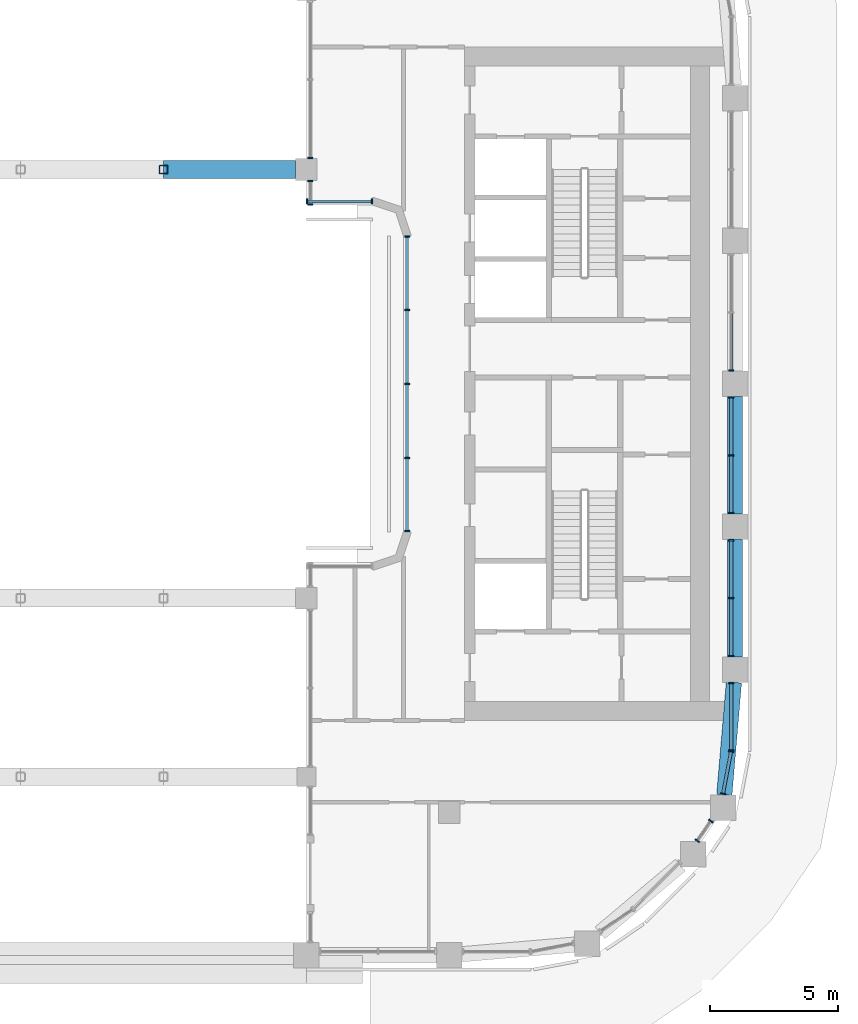
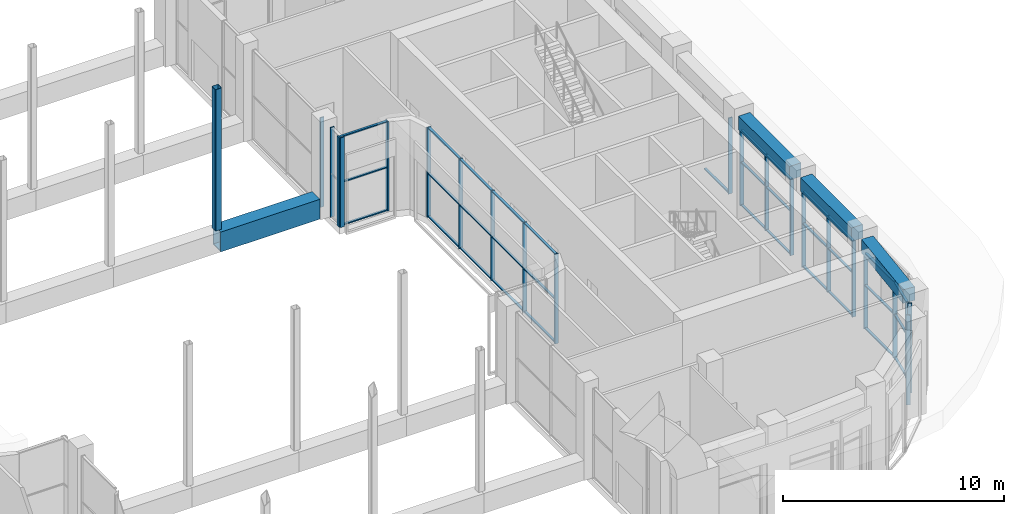
# One storey, part 6 of 28: 59 members, 3 beams, 10 elements without a shape of their own.
"""IFC4 building model written with IfcOpenShell, lengths in metres."""

from ifc_helpers import new_model, si_unit, direction, frame, origin, origin_2d, place, context, subcontext, project, spatial, rectangle, hollow_rectangle, extrude, material, layer, layer_set, material_profile, profile_set, type_object, element, aggregate, save


model = new_model("IFC4")

# Units and contexts
model_context = context("Model", 3, precision=1e-05, world=origin(), true_north=direction((0.0, 1.0)))
body_context = subcontext(model_context, "Body", "Model", "MODEL_VIEW")
ifc_project = project(units=[si_unit("LENGTHUNIT", "METRE"), si_unit("AREAUNIT", "SQUARE_METRE"), si_unit("VOLUMEUNIT", "CUBIC_METRE"), si_unit("PLANEANGLEUNIT", "RADIAN"), si_unit("MASSUNIT", "GRAM", prefix="KILO")], contexts=[model_context])

# Site, building, storey
site_placement = place(None, origin())
site = spatial("IfcSite", under=ifc_project, at=site_placement, CompositionType="ELEMENT")
building_placement = place(site_placement, origin())
building = spatial("IfcBuilding", under=site, at=building_placement, Name="Kiln Ring Residences", CompositionType="ELEMENT")
storey_placement = place(building_placement, frame((0.0, 0.0, 178.10009765625)))
storey = spatial("IfcBuildingStorey", under=building, at=storey_placement, Name="L46", CompositionType="ELEMENT", Elevation=178.10009765625)

# Members
ifc_material_1 = material(Name="Steel S460", Category="steel")
ifc_material_profile_1 = material_profile(ifc_material_1, hollow_rectangle(XDim=0.699951171875, YDim=1.10009765625, WallThickness=0.06005859375, at=origin_2d()), Name="BOX1100x700x60")
ifc_profile_set_1 = profile_set([ifc_material_profile_1], Name="Steel S460")
member_type_1 = type_object("IfcMemberType", Name="Bridge truss chord BOX1100x700x60 S460", PredefinedType="CHORD", material=ifc_profile_set_1)
member_1_placement = place(storey_placement, frame((5.60009765625, 8.39990234375, 0.5498046875), z_axis=(1.0, 0.0, 0.0), x_axis=(0.0, 1.0, 0.0)))
element("IfcMember", 1, at=member_1_placement, inside=storey, type_object=member_type_1, Name="Bridge truss chord L46 18", PredefinedType="CHORD", context=body_context, shape_type="SweptSolid", body=[
    extrude(hollow_rectangle(XDim=0.699951171875, YDim=1.10009765625, WallThickness=0.06005859375, at=origin_2d()), origin(), (0.0, 0.0, 1.0), 5.1748046875),
])
ifc_material_2 = material(Name="Steel S355", Category="steel")
ifc_material_profile_2 = material_profile(ifc_material_2, hollow_rectangle(XDim=0.35009765625, YDim=0.35009765625, WallThickness=0.02001953125, InnerFilletRadius=0.02001953125, OuterFilletRadius=0.050048828125, at=origin_2d()), Name="SHS350x350x20")
ifc_profile_set_2 = profile_set([ifc_material_profile_2], Name="Steel S355")
member_type_2 = type_object("IfcMemberType", Name="Bridge truss post SHS350x350x20 S355", PredefinedType="POST", material=ifc_profile_set_2)
member_2_placement = place(storey_placement, frame((5.60009765625, 8.39990234375, 1.099853515625), z_axis=(0.0, 0.0, 1.0), x_axis=(1.0, 0.0, 0.0)))
element("IfcMember", 2, at=member_2_placement, inside=storey, type_object=member_type_2, Name="Bridge truss post L46 12", PredefinedType="POST", context=body_context, shape_type="SweptSolid", body=[
    extrude(hollow_rectangle(XDim=0.35009765625, YDim=0.35009765625, WallThickness=0.02001953125, InnerFilletRadius=0.02001953125, OuterFilletRadius=0.050048828125, at=origin_2d()), origin(), (0.0, 0.0, 1.0), 7.800048828125),
])

# Curtain wall, members
ifc_material_3 = material(Name="Aluminium and glass", Category="aluminium")
ifc_layer = layer(ifc_material_3, 0.199951171875)
ifc_layer_set = layer_set([ifc_layer], Name="CW1 CURTAIN WALL")
curtain_wall_type = type_object("IfcCurtainWallType", Name="CW1 CURTAIN WALL", PredefinedType="NOTDEFINED", material=ifc_layer_set)
placement = place(storey_placement, origin())
curtain_wall_1 = element("IfcCurtainWall", 3, at=placement, inside=storey, type_object=curtain_wall_type, Name="Curtain wall CW1 L46", PredefinedType="NOTDEFINED")
ifc_material_4 = material(Name="Aluminium 6063-T6", Category="aluminium")
ifc_material_profile_3 = material_profile(ifc_material_4, rectangle(XDim=0.199951171875, YDim=0.06005859375, at=origin_2d()), Name="AL 200x60")
ifc_profile_set_3 = profile_set([ifc_material_profile_3], Name="Aluminium 6063-T6")
member_type_3 = type_object("IfcMemberType", Name="CW1 MULLION 200 x 60", PredefinedType="MULLION", material=ifc_profile_set_3)
member_3_placement = place(storey_placement, frame((26.521240234375, -17.9091796875, 0.0), z_axis=(0.0, 0.0, 1.0), x_axis=(-0.827071553409, 0.562096651423, 0.0)))
member_3 = element("IfcMember", 4, at=member_3_placement, type_object=member_type_3, Name="CW1 mullion 1", PredefinedType="MULLION", context=body_context, shape_type="SweptSolid", body=[
    extrude(rectangle(XDim=0.199951171875, YDim=0.06005859375, at=origin_2d()), origin(), (0.0, 0.0, 1.0), 4.949951171875),
])
member_4_placement = place(storey_placement, frame((27.04833984375, -17.133544921875, 0.0), z_axis=(0.0, 0.0, 1.0), x_axis=(-0.827071553409, 0.562096651423, 0.0)))
member_4 = element("IfcMember", 5, at=member_4_placement, type_object=member_type_3, Name="CW1 mullion 2", PredefinedType="MULLION", context=body_context, shape_type="SweptSolid", body=[
    extrude(rectangle(XDim=0.199951171875, YDim=0.06005859375, at=origin_2d()), origin(), (0.0, 0.0, 1.0), 4.949951171875),
])
aggregate(curtain_wall_1, [member_3, member_4])

curtain_wall_2 = element("IfcCurtainWall", 6, at=placement, inside=storey, type_object=curtain_wall_type, Name="Curtain wall CW1 L46", PredefinedType="NOTDEFINED")
member_5_placement = place(storey_placement, frame((27.529296875, -16.0673828125, 0.0), z_axis=(0.0, 0.0, 1.0), x_axis=(-0.98229025781, 0.187365550227, 0.0)))
member_5 = element("IfcMember", 7, at=member_5_placement, type_object=member_type_3, Name="CW1 mullion 1", PredefinedType="MULLION", context=body_context, shape_type="SweptSolid", body=[
    extrude(rectangle(XDim=0.199951171875, YDim=0.06005859375, at=origin_2d()), origin(), (0.0, 0.0, 1.0), 4.199951171875),
])
member_6_placement = place(storey_placement, frame((27.846923828125, -14.4013671875, 0.0), z_axis=(0.0, 0.0, 1.0), x_axis=(-0.98229025781, 0.187365550227, 0.0)))
member_6 = element("IfcMember", 8, at=member_6_placement, type_object=member_type_3, Name="CW1 mullion 2", PredefinedType="MULLION", context=body_context, shape_type="SweptSolid", body=[
    extrude(rectangle(XDim=0.199951171875, YDim=0.06005859375, at=origin_2d()), origin(), (0.0, 0.0, 1.0), 4.199951171875),
])

curtain_wall_3 = element("IfcCurtainWall", 9, at=placement, inside=storey, type_object=curtain_wall_type, Name="Curtain wall CW1 L46", PredefinedType="NOTDEFINED")
member_7_placement = place(storey_placement, frame((27.85009765625, -14.3701171875, 0.0), z_axis=(0.0, 0.0, 1.0), x_axis=(-1.0, 0.0, 0.0)))
member_7 = element("IfcMember", 10, at=member_7_placement, type_object=member_type_3, Name="CW1 mullion 1", PredefinedType="MULLION", context=body_context, shape_type="SweptSolid", body=[
    extrude(rectangle(XDim=0.199951171875, YDim=0.06005859375, at=origin_2d()), origin(), (0.0, 0.0, 1.0), 4.199951171875),
])
member_8_placement = place(storey_placement, frame((27.85009765625, -11.72998046875, 0.0), z_axis=(0.0, 0.0, 1.0), x_axis=(-1.0, 0.0, 0.0)))
member_8 = element("IfcMember", 11, at=member_8_placement, type_object=member_type_3, Name="CW1 mullion 2", PredefinedType="MULLION", context=body_context, shape_type="SweptSolid", body=[
    extrude(rectangle(XDim=0.199951171875, YDim=0.06005859375, at=origin_2d()), origin(), (0.0, 0.0, 1.0), 4.199951171875),
])

curtain_wall_4 = element("IfcCurtainWall", 12, at=placement, inside=storey, type_object=curtain_wall_type, Name="Curtain wall CW1 L46", PredefinedType="NOTDEFINED")
member_9_placement = place(storey_placement, frame((27.85009765625, -10.669921875, 0.0), z_axis=(0.0, 0.0, 1.0), x_axis=(-1.0, 0.0, 0.0)))
member_9 = element("IfcMember", 13, at=member_9_placement, type_object=member_type_3, Name="CW1 mullion 1", PredefinedType="MULLION", context=body_context, shape_type="SweptSolid", body=[
    extrude(rectangle(XDim=0.199951171875, YDim=0.06005859375, at=origin_2d()), origin(), (0.0, 0.0, 1.0), 4.199951171875),
])
member_10_placement = place(storey_placement, frame((27.85009765625, -8.39990234375, 0.0), z_axis=(0.0, 0.0, 1.0), x_axis=(-1.0, 0.0, 0.0)))
member_10 = element("IfcMember", 14, at=member_10_placement, type_object=member_type_3, Name="CW1 mullion 2", PredefinedType="MULLION", context=body_context, shape_type="SweptSolid", body=[
    extrude(rectangle(XDim=0.199951171875, YDim=0.06005859375, at=origin_2d()), origin(), (0.0, 0.0, 1.0), 4.199951171875),
])
member_11_placement = place(storey_placement, frame((27.85009765625, -6.1298828125, 0.0), z_axis=(0.0, 0.0, 1.0), x_axis=(-1.0, 0.0, 0.0)))
member_11 = element("IfcMember", 15, at=member_11_placement, type_object=member_type_3, Name="CW1 mullion 3", PredefinedType="MULLION", context=body_context, shape_type="SweptSolid", body=[
    extrude(rectangle(XDim=0.199951171875, YDim=0.06005859375, at=origin_2d()), origin(), (0.0, 0.0, 1.0), 4.199951171875),
])

curtain_wall_5 = element("IfcCurtainWall", 16, at=placement, inside=storey, type_object=curtain_wall_type, Name="Curtain wall CW1 L46", PredefinedType="NOTDEFINED")
member_12_placement = place(storey_placement, frame((27.85009765625, -5.070068359375, 0.0), z_axis=(0.0, 0.0, 1.0), x_axis=(-1.0, 0.0, 0.0)))
member_12 = element("IfcMember", 17, at=member_12_placement, type_object=member_type_3, Name="CW1 mullion 1", PredefinedType="MULLION", context=body_context, shape_type="SweptSolid", body=[
    extrude(rectangle(XDim=0.199951171875, YDim=0.06005859375, at=origin_2d()), origin(), (0.0, 0.0, 1.0), 4.199951171875),
])
member_13_placement = place(storey_placement, frame((27.85009765625, -2.800048828125, 0.0), z_axis=(0.0, 0.0, 1.0), x_axis=(-1.0, 0.0, 0.0)))
member_13 = element("IfcMember", 18, at=member_13_placement, type_object=member_type_3, Name="CW1 mullion 2", PredefinedType="MULLION", context=body_context, shape_type="SweptSolid", body=[
    extrude(rectangle(XDim=0.199951171875, YDim=0.06005859375, at=origin_2d()), origin(), (0.0, 0.0, 1.0), 4.199951171875),
])
member_14_placement = place(storey_placement, frame((27.85009765625, -0.530029296875, 0.0), z_axis=(0.0, 0.0, 1.0), x_axis=(-1.0, 0.0, 0.0)))
member_14 = element("IfcMember", 19, at=member_14_placement, type_object=member_type_3, Name="CW1 mullion 3", PredefinedType="MULLION", context=body_context, shape_type="SweptSolid", body=[
    extrude(rectangle(XDim=0.199951171875, YDim=0.06005859375, at=origin_2d()), origin(), (0.0, 0.0, 1.0), 4.199951171875),
])

# Curtain wall, member
curtain_wall_6 = element("IfcCurtainWall", 20, at=placement, inside=storey, type_object=curtain_wall_type, Name="Curtain wall CW1 L46", PredefinedType="NOTDEFINED")
member_15_placement = place(storey_placement, frame((27.85009765625, 0.530029296875, 0.0), z_axis=(0.0, 0.0, 1.0), x_axis=(-1.0, 0.0, 0.0)))
member_15 = element("IfcMember", 21, at=member_15_placement, type_object=member_type_3, Name="CW1 mullion 1", PredefinedType="MULLION", context=body_context, shape_type="SweptSolid", body=[
    extrude(rectangle(XDim=0.199951171875, YDim=0.06005859375, at=origin_2d()), origin(), (0.0, 0.0, 1.0), 4.199951171875),
])

curtain_wall_7 = element("IfcCurtainWall", 22, at=placement, inside=storey, type_object=curtain_wall_type, Name="Curtain wall CW1 L46", PredefinedType="NOTDEFINED")
member_16_placement = place(storey_placement, frame((11.35009765625, 8.85498046875, 0.0), z_axis=(0.0, 0.0, 1.0), x_axis=(1.0, 0.0, 0.0)))
member_16 = element("IfcMember", 23, at=member_16_placement, type_object=member_type_3, Name="CW1 mullion 3", PredefinedType="MULLION", context=body_context, shape_type="SweptSolid", body=[
    extrude(rectangle(XDim=0.199951171875, YDim=0.06005859375, at=origin_2d()), origin(), (0.0, 0.0, 1.0), 4.949951171875),
])
aggregate(curtain_wall_7, [member_16])

# Curtain wall, members
curtain_wall_8 = element("IfcCurtainWall", 24, at=placement, inside=storey, type_object=curtain_wall_type, Name="Curtain wall CW1 L46", PredefinedType="NOTDEFINED")
member_17_placement = place(storey_placement, frame((11.35009765625, 7.945068359375, 0.0), z_axis=(0.0, 0.0, 1.0), x_axis=(1.0, 0.0, 0.0)))
member_17 = element("IfcMember", 25, at=member_17_placement, type_object=member_type_3, Name="CW1 mullion 1", PredefinedType="MULLION", context=body_context, shape_type="SweptSolid", body=[
    extrude(rectangle(XDim=0.199951171875, YDim=0.06005859375, at=origin_2d()), origin(), (0.0, 0.0, 1.0), 4.949951171875),
])
member_18_placement = place(storey_placement, frame((11.35009765625, 7.030029296875, 0.0), z_axis=(0.0, 0.0, 1.0), x_axis=(1.0, 0.0, 0.0)))
member_18 = element("IfcMember", 26, at=member_18_placement, type_object=member_type_3, Name="CW1 mullion 2", PredefinedType="MULLION", context=body_context, shape_type="SweptSolid", body=[
    extrude(rectangle(XDim=0.199951171875, YDim=0.06005859375, at=origin_2d()), origin(), (0.0, 0.0, 1.0), 4.949951171875),
])
aggregate(curtain_wall_8, [member_17, member_18])

curtain_wall_9 = element("IfcCurtainWall", 27, at=placement, inside=storey, type_object=curtain_wall_type, Name="Curtain wall CW1 L46", PredefinedType="NOTDEFINED")
member_19_placement = place(storey_placement, frame((11.22998046875, 7.14990234375, 0.0), z_axis=(0.0, 0.0, 1.0), x_axis=(0.0, 1.0, 0.0)))
member_19 = element("IfcMember", 28, at=member_19_placement, type_object=member_type_3, Name="CW1 mullion 1", PredefinedType="MULLION", context=body_context, shape_type="SweptSolid", body=[
    extrude(rectangle(XDim=0.199951171875, YDim=0.06005859375, at=origin_2d()), origin(), (0.0, 0.0, 1.0), 4.949951171875),
])
member_20_placement = place(storey_placement, frame((13.77001953125, 7.14990234375, 0.0), z_axis=(0.0, 0.0, 1.0), x_axis=(0.0, 1.0, 0.0)))
member_20 = element("IfcMember", 29, at=member_20_placement, type_object=member_type_3, Name="CW1 mullion 2", PredefinedType="MULLION", context=body_context, shape_type="SweptSolid", body=[
    extrude(rectangle(XDim=0.199951171875, YDim=0.06005859375, at=origin_2d()), origin(), (0.0, 0.0, 1.0), 4.949951171875),
])

curtain_wall_10 = element("IfcCurtainWall", 30, at=placement, inside=storey, type_object=curtain_wall_type, Name="Curtain wall CW1 L46", PredefinedType="NOTDEFINED")
member_21_placement = place(storey_placement, frame((15.14990234375, 5.77001953125, 0.0), z_axis=(0.0, 0.0, 1.0), x_axis=(1.0, 0.0, 0.0)))
member_21 = element("IfcMember", 31, at=member_21_placement, type_object=member_type_3, Name="CW1 mullion 1", PredefinedType="MULLION", context=body_context, shape_type="SweptSolid", body=[
    extrude(rectangle(XDim=0.199951171875, YDim=0.06005859375, at=origin_2d()), origin(), (0.0, 0.0, 1.0), 4.949951171875),
])
member_22_placement = place(storey_placement, frame((15.14990234375, 2.89990234375, 0.0), z_axis=(0.0, 0.0, 1.0), x_axis=(1.0, 0.0, 0.0)))
member_22 = element("IfcMember", 32, at=member_22_placement, type_object=member_type_3, Name="CW1 mullion 2", PredefinedType="MULLION", context=body_context, shape_type="SweptSolid", body=[
    extrude(rectangle(XDim=0.199951171875, YDim=0.06005859375, at=origin_2d()), origin(), (0.0, 0.0, 1.0), 4.949951171875),
])
member_23_placement = place(storey_placement, frame((15.14990234375, 0.0, 0.0), z_axis=(0.0, 0.0, 1.0), x_axis=(1.0, 0.0, 0.0)))
member_23 = element("IfcMember", 33, at=member_23_placement, type_object=member_type_3, Name="CW1 mullion 3", PredefinedType="MULLION", context=body_context, shape_type="SweptSolid", body=[
    extrude(rectangle(XDim=0.199951171875, YDim=0.06005859375, at=origin_2d()), origin(), (0.0, 0.0, 1.0), 4.949951171875),
])
member_24_placement = place(storey_placement, frame((15.14990234375, -2.89990234375, 0.0), z_axis=(0.0, 0.0, 1.0), x_axis=(1.0, 0.0, 0.0)))
member_24 = element("IfcMember", 34, at=member_24_placement, type_object=member_type_3, Name="CW1 mullion 4", PredefinedType="MULLION", context=body_context, shape_type="SweptSolid", body=[
    extrude(rectangle(XDim=0.199951171875, YDim=0.06005859375, at=origin_2d()), origin(), (0.0, 0.0, 1.0), 4.949951171875),
])
member_25_placement = place(storey_placement, frame((15.14990234375, -5.77001953125, 0.0), z_axis=(0.0, 0.0, 1.0), x_axis=(1.0, 0.0, 0.0)))
member_25 = element("IfcMember", 35, at=member_25_placement, type_object=member_type_3, Name="CW1 mullion 5", PredefinedType="MULLION", context=body_context, shape_type="SweptSolid", body=[
    extrude(rectangle(XDim=0.199951171875, YDim=0.06005859375, at=origin_2d()), origin(), (0.0, 0.0, 1.0), 4.949951171875),
])

# Member
ifc_material_5 = material(Name="Aluminium 6063-T6", Category="aluminium")
ifc_material_profile_4 = material_profile(ifc_material_5, rectangle(XDim=0.1201171875, YDim=0.06005859375, at=origin_2d()), Name="AL 120x60")
ifc_profile_set_4 = profile_set([ifc_material_profile_4], Name="Aluminium 6063-T6")
member_type_4 = type_object("IfcMemberType", Name="CW1 TRANSOM 120 x 60", PredefinedType="USERDEFINED", material=ifc_profile_set_4)
member_26_placement = place(storey_placement, frame((27.534912109375, -16.0380859375, 0.02978515625), z_axis=(0.187269813936, 0.982308514057, 0.0), x_axis=(-0.982308514057, 0.187269813936, 0.0)))
member_26 = element("IfcMember", 36, at=member_26_placement, type_object=member_type_4, Name="CW1 transom 1.1", ObjectType="TRANSOM", PredefinedType="USERDEFINED", context=body_context, shape_type="SweptSolid", body=[
    extrude(rectangle(XDim=0.1201171875, YDim=0.06005859375, at=origin_2d()), origin(), (0.0, 0.0, 1.0), 1.63623046875),
])

member_27_placement = place(storey_placement, frame((27.534912109375, -16.0380859375, 2.39990234375), z_axis=(0.187269813936, 0.982308514057, 0.0), x_axis=(-0.982308514057, 0.187269813936, 0.0)))
member_27 = element("IfcMember", 37, at=member_27_placement, type_object=member_type_4, Name="CW1 transom 1.2", ObjectType="TRANSOM", PredefinedType="USERDEFINED", context=body_context, shape_type="SweptSolid", body=[
    extrude(rectangle(XDim=0.1201171875, YDim=0.06005859375, at=origin_2d()), origin(), (0.0, 0.0, 1.0), 1.63623046875),
])

member_28_placement = place(storey_placement, frame((27.534912109375, -16.0380859375, 4.169921875), z_axis=(0.187269813936, 0.982308514057, 0.0), x_axis=(-0.982308514057, 0.187269813936, 0.0)))
member_28 = element("IfcMember", 38, at=member_28_placement, type_object=member_type_4, Name="CW1 transom 1.3", ObjectType="TRANSOM", PredefinedType="USERDEFINED", context=body_context, shape_type="SweptSolid", body=[
    extrude(rectangle(XDim=0.1201171875, YDim=0.06005859375, at=origin_2d()), origin(), (0.0, 0.0, 1.0), 1.63623046875),
])

aggregate(curtain_wall_2, [member_5, member_6, member_26, member_27, member_28])

member_29_placement = place(storey_placement, frame((27.85009765625, -14.340087890625, 0.02978515625), z_axis=(0.0, 1.0, 0.0), x_axis=(-1.0, 0.0, 0.0)))
member_29 = element("IfcMember", 39, at=member_29_placement, type_object=member_type_4, Name="CW1 transom 1.1", ObjectType="TRANSOM", PredefinedType="USERDEFINED", context=body_context, shape_type="SweptSolid", body=[
    extrude(rectangle(XDim=0.1201171875, YDim=0.06005859375, at=origin_2d()), origin(), (0.0, 0.0, 1.0), 2.580078125),
])

member_30_placement = place(storey_placement, frame((27.85009765625, -14.340087890625, 2.39990234375), z_axis=(0.0, 1.0, 0.0), x_axis=(-1.0, 0.0, 0.0)))
member_30 = element("IfcMember", 40, at=member_30_placement, type_object=member_type_4, Name="CW1 transom 1.2", ObjectType="TRANSOM", PredefinedType="USERDEFINED", context=body_context, shape_type="SweptSolid", body=[
    extrude(rectangle(XDim=0.1201171875, YDim=0.06005859375, at=origin_2d()), origin(), (0.0, 0.0, 1.0), 2.580078125),
])

member_31_placement = place(storey_placement, frame((27.85009765625, -14.340087890625, 4.169921875), z_axis=(0.0, 1.0, 0.0), x_axis=(-1.0, 0.0, 0.0)))
member_31 = element("IfcMember", 41, at=member_31_placement, type_object=member_type_4, Name="CW1 transom 1.3", ObjectType="TRANSOM", PredefinedType="USERDEFINED", context=body_context, shape_type="SweptSolid", body=[
    extrude(rectangle(XDim=0.1201171875, YDim=0.06005859375, at=origin_2d()), origin(), (0.0, 0.0, 1.0), 2.580078125),
])

aggregate(curtain_wall_3, [member_7, member_8, member_29, member_30, member_31])

member_32_placement = place(storey_placement, frame((27.85009765625, -10.639892578125, 0.02978515625), z_axis=(0.0, 1.0, 0.0), x_axis=(-1.0, 0.0, 0.0)))
member_32 = element("IfcMember", 42, at=member_32_placement, type_object=member_type_4, Name="CW1 transom 1.1", ObjectType="TRANSOM", PredefinedType="USERDEFINED", context=body_context, shape_type="SweptSolid", body=[
    extrude(rectangle(XDim=0.1201171875, YDim=0.06005859375, at=origin_2d()), origin(), (0.0, 0.0, 1.0), 2.2099609375),
])

member_33_placement = place(storey_placement, frame((27.85009765625, -10.639892578125, 2.39990234375), z_axis=(0.0, 1.0, 0.0), x_axis=(-1.0, 0.0, 0.0)))
member_33 = element("IfcMember", 43, at=member_33_placement, type_object=member_type_4, Name="CW1 transom 1.2", ObjectType="TRANSOM", PredefinedType="USERDEFINED", context=body_context, shape_type="SweptSolid", body=[
    extrude(rectangle(XDim=0.1201171875, YDim=0.06005859375, at=origin_2d()), origin(), (0.0, 0.0, 1.0), 2.2099609375),
])

member_34_placement = place(storey_placement, frame((27.85009765625, -10.639892578125, 4.169921875), z_axis=(0.0, 1.0, 0.0), x_axis=(-1.0, 0.0, 0.0)))
member_34 = element("IfcMember", 44, at=member_34_placement, type_object=member_type_4, Name="CW1 transom 1.3", ObjectType="TRANSOM", PredefinedType="USERDEFINED", context=body_context, shape_type="SweptSolid", body=[
    extrude(rectangle(XDim=0.1201171875, YDim=0.06005859375, at=origin_2d()), origin(), (0.0, 0.0, 1.0), 2.2099609375),
])

member_35_placement = place(storey_placement, frame((27.85009765625, -8.3701171875, 0.02978515625), z_axis=(0.0, 1.0, 0.0), x_axis=(-1.0, 0.0, 0.0)))
member_35 = element("IfcMember", 45, at=member_35_placement, type_object=member_type_4, Name="CW1 transom 2.1", ObjectType="TRANSOM", PredefinedType="USERDEFINED", context=body_context, shape_type="SweptSolid", body=[
    extrude(rectangle(XDim=0.1201171875, YDim=0.06005859375, at=origin_2d()), origin(), (0.0, 0.0, 1.0), 2.210205078125),
])

member_36_placement = place(storey_placement, frame((27.85009765625, -8.3701171875, 2.39990234375), z_axis=(0.0, 1.0, 0.0), x_axis=(-1.0, 0.0, 0.0)))
member_36 = element("IfcMember", 46, at=member_36_placement, type_object=member_type_4, Name="CW1 transom 2.2", ObjectType="TRANSOM", PredefinedType="USERDEFINED", context=body_context, shape_type="SweptSolid", body=[
    extrude(rectangle(XDim=0.1201171875, YDim=0.06005859375, at=origin_2d()), origin(), (0.0, 0.0, 1.0), 2.210205078125),
])

member_37_placement = place(storey_placement, frame((27.85009765625, -8.3701171875, 4.169921875), z_axis=(0.0, 1.0, 0.0), x_axis=(-1.0, 0.0, 0.0)))
member_37 = element("IfcMember", 47, at=member_37_placement, type_object=member_type_4, Name="CW1 transom 2.3", ObjectType="TRANSOM", PredefinedType="USERDEFINED", context=body_context, shape_type="SweptSolid", body=[
    extrude(rectangle(XDim=0.1201171875, YDim=0.06005859375, at=origin_2d()), origin(), (0.0, 0.0, 1.0), 2.210205078125),
])

aggregate(curtain_wall_4, [member_9, member_10, member_11, member_32, member_33, member_34, member_35, member_36, member_37])

member_38_placement = place(storey_placement, frame((27.85009765625, -5.0400390625, 0.02978515625), z_axis=(0.0, 1.0, 0.0), x_axis=(-1.0, 0.0, 0.0)))
member_38 = element("IfcMember", 48, at=member_38_placement, type_object=member_type_4, Name="CW1 transom 1.1", ObjectType="TRANSOM", PredefinedType="USERDEFINED", context=body_context, shape_type="SweptSolid", body=[
    extrude(rectangle(XDim=0.1201171875, YDim=0.06005859375, at=origin_2d()), origin(), (0.0, 0.0, 1.0), 2.2099609375),
])

member_39_placement = place(storey_placement, frame((27.85009765625, -5.0400390625, 2.39990234375), z_axis=(0.0, 1.0, 0.0), x_axis=(-1.0, 0.0, 0.0)))
member_39 = element("IfcMember", 49, at=member_39_placement, type_object=member_type_4, Name="CW1 transom 1.2", ObjectType="TRANSOM", PredefinedType="USERDEFINED", context=body_context, shape_type="SweptSolid", body=[
    extrude(rectangle(XDim=0.1201171875, YDim=0.06005859375, at=origin_2d()), origin(), (0.0, 0.0, 1.0), 2.2099609375),
])

member_40_placement = place(storey_placement, frame((27.85009765625, -5.0400390625, 4.169921875), z_axis=(0.0, 1.0, 0.0), x_axis=(-1.0, 0.0, 0.0)))
member_40 = element("IfcMember", 50, at=member_40_placement, type_object=member_type_4, Name="CW1 transom 1.3", ObjectType="TRANSOM", PredefinedType="USERDEFINED", context=body_context, shape_type="SweptSolid", body=[
    extrude(rectangle(XDim=0.1201171875, YDim=0.06005859375, at=origin_2d()), origin(), (0.0, 0.0, 1.0), 2.2099609375),
])

member_41_placement = place(storey_placement, frame((27.85009765625, -2.77001953125, 0.02978515625), z_axis=(0.0, 1.0, 0.0), x_axis=(-1.0, 0.0, 0.0)))
member_41 = element("IfcMember", 51, at=member_41_placement, type_object=member_type_4, Name="CW1 transom 2.1", ObjectType="TRANSOM", PredefinedType="USERDEFINED", context=body_context, shape_type="SweptSolid", body=[
    extrude(rectangle(XDim=0.1201171875, YDim=0.06005859375, at=origin_2d()), origin(), (0.0, 0.0, 1.0), 2.2099609375),
])

member_42_placement = place(storey_placement, frame((27.85009765625, -2.77001953125, 2.39990234375), z_axis=(0.0, 1.0, 0.0), x_axis=(-1.0, 0.0, 0.0)))
member_42 = element("IfcMember", 52, at=member_42_placement, type_object=member_type_4, Name="CW1 transom 2.2", ObjectType="TRANSOM", PredefinedType="USERDEFINED", context=body_context, shape_type="SweptSolid", body=[
    extrude(rectangle(XDim=0.1201171875, YDim=0.06005859375, at=origin_2d()), origin(), (0.0, 0.0, 1.0), 2.2099609375),
])

member_43_placement = place(storey_placement, frame((27.85009765625, -2.77001953125, 4.169921875), z_axis=(0.0, 1.0, 0.0), x_axis=(-1.0, 0.0, 0.0)))
member_43 = element("IfcMember", 53, at=member_43_placement, type_object=member_type_4, Name="CW1 transom 2.3", ObjectType="TRANSOM", PredefinedType="USERDEFINED", context=body_context, shape_type="SweptSolid", body=[
    extrude(rectangle(XDim=0.1201171875, YDim=0.06005859375, at=origin_2d()), origin(), (0.0, 0.0, 1.0), 2.2099609375),
])

aggregate(curtain_wall_5, [member_12, member_13, member_14, member_38, member_39, member_40, member_41, member_42, member_43])

member_44_placement = place(storey_placement, frame((27.85009765625, 0.56005859375, 0.02978515625), z_axis=(0.0, 1.0, 0.0), x_axis=(-1.0, 0.0, 0.0)))
member_44 = element("IfcMember", 54, at=member_44_placement, type_object=member_type_4, Name="CW1 transom 1.1", ObjectType="TRANSOM", PredefinedType="USERDEFINED", context=body_context, shape_type="SweptSolid", body=[
    extrude(rectangle(XDim=0.1201171875, YDim=0.06005859375, at=origin_2d()), origin(), (0.0, 0.0, 1.0), 2.2099609375),
])

aggregate(curtain_wall_6, [member_15, member_44])

member_45_placement = place(storey_placement, frame((11.260009765625, 7.14990234375, 0.02978515625), z_axis=(1.0, 0.0, 0.0), x_axis=(0.0, 1.0, 0.0)))
member_45 = element("IfcMember", 55, at=member_45_placement, type_object=member_type_4, Name="CW1 transom 1.1", ObjectType="TRANSOM", PredefinedType="USERDEFINED", context=body_context, shape_type="SweptSolid", body=[
    extrude(rectangle(XDim=0.1201171875, YDim=0.06005859375, at=origin_2d()), origin(), (0.0, 0.0, 1.0), 2.47998046875),
])

member_46_placement = place(storey_placement, frame((11.260009765625, 7.14990234375, 2.39990234375), z_axis=(1.0, 0.0, 0.0), x_axis=(0.0, 1.0, 0.0)))
member_46 = element("IfcMember", 56, at=member_46_placement, type_object=member_type_4, Name="CW1 transom 1.2", ObjectType="TRANSOM", PredefinedType="USERDEFINED", context=body_context, shape_type="SweptSolid", body=[
    extrude(rectangle(XDim=0.1201171875, YDim=0.06005859375, at=origin_2d()), origin(), (0.0, 0.0, 1.0), 2.47998046875),
])

member_47_placement = place(storey_placement, frame((11.260009765625, 7.14990234375, 4.919921875), z_axis=(1.0, 0.0, 0.0), x_axis=(0.0, 1.0, 0.0)))
member_47 = element("IfcMember", 57, at=member_47_placement, type_object=member_type_4, Name="CW1 transom 1.3", ObjectType="TRANSOM", PredefinedType="USERDEFINED", context=body_context, shape_type="SweptSolid", body=[
    extrude(rectangle(XDim=0.1201171875, YDim=0.06005859375, at=origin_2d()), origin(), (0.0, 0.0, 1.0), 2.47998046875),
])

aggregate(curtain_wall_9, [member_19, member_20, member_45, member_46, member_47])

member_48_placement = place(storey_placement, frame((15.14990234375, 5.739990234375, 0.02978515625), z_axis=(0.0, -1.0, 0.0), x_axis=(1.0, 0.0, 0.0)))
member_48 = element("IfcMember", 58, at=member_48_placement, type_object=member_type_4, Name="CW1 transom 1.1", ObjectType="TRANSOM", PredefinedType="USERDEFINED", context=body_context, shape_type="SweptSolid", body=[
    extrude(rectangle(XDim=0.1201171875, YDim=0.06005859375, at=origin_2d()), origin(), (0.0, 0.0, 1.0), 2.81005859375),
])

member_49_placement = place(storey_placement, frame((15.14990234375, 5.739990234375, 2.39990234375), z_axis=(0.0, -1.0, 0.0), x_axis=(1.0, 0.0, 0.0)))
member_49 = element("IfcMember", 59, at=member_49_placement, type_object=member_type_4, Name="CW1 transom 1.2", ObjectType="TRANSOM", PredefinedType="USERDEFINED", context=body_context, shape_type="SweptSolid", body=[
    extrude(rectangle(XDim=0.1201171875, YDim=0.06005859375, at=origin_2d()), origin(), (0.0, 0.0, 1.0), 2.81005859375),
])

member_50_placement = place(storey_placement, frame((15.14990234375, 5.739990234375, 4.919921875), z_axis=(0.0, -1.0, 0.0), x_axis=(1.0, 0.0, 0.0)))
member_50 = element("IfcMember", 60, at=member_50_placement, type_object=member_type_4, Name="CW1 transom 1.3", ObjectType="TRANSOM", PredefinedType="USERDEFINED", context=body_context, shape_type="SweptSolid", body=[
    extrude(rectangle(XDim=0.1201171875, YDim=0.06005859375, at=origin_2d()), origin(), (0.0, 0.0, 1.0), 2.81005859375),
])

member_51_placement = place(storey_placement, frame((15.14990234375, 2.8701171875, 0.02978515625), z_axis=(0.0, -1.0, 0.0), x_axis=(1.0, 0.0, 0.0)))
member_51 = element("IfcMember", 61, at=member_51_placement, type_object=member_type_4, Name="CW1 transom 2.1", ObjectType="TRANSOM", PredefinedType="USERDEFINED", context=body_context, shape_type="SweptSolid", body=[
    extrude(rectangle(XDim=0.1201171875, YDim=0.06005859375, at=origin_2d()), origin(), (0.0, 0.0, 1.0), 2.840087890625),
])

member_52_placement = place(storey_placement, frame((15.14990234375, 2.8701171875, 2.39990234375), z_axis=(0.0, -1.0, 0.0), x_axis=(1.0, 0.0, 0.0)))
member_52 = element("IfcMember", 62, at=member_52_placement, type_object=member_type_4, Name="CW1 transom 2.2", ObjectType="TRANSOM", PredefinedType="USERDEFINED", context=body_context, shape_type="SweptSolid", body=[
    extrude(rectangle(XDim=0.1201171875, YDim=0.06005859375, at=origin_2d()), origin(), (0.0, 0.0, 1.0), 2.840087890625),
])

member_53_placement = place(storey_placement, frame((15.14990234375, 2.8701171875, 4.919921875), z_axis=(0.0, -1.0, 0.0), x_axis=(1.0, 0.0, 0.0)))
member_53 = element("IfcMember", 63, at=member_53_placement, type_object=member_type_4, Name="CW1 transom 2.3", ObjectType="TRANSOM", PredefinedType="USERDEFINED", context=body_context, shape_type="SweptSolid", body=[
    extrude(rectangle(XDim=0.1201171875, YDim=0.06005859375, at=origin_2d()), origin(), (0.0, 0.0, 1.0), 2.840087890625),
])

member_54_placement = place(storey_placement, frame((15.14990234375, -0.030029296875, 0.02978515625), z_axis=(0.0, -1.0, 0.0), x_axis=(1.0, 0.0, 0.0)))
member_54 = element("IfcMember", 64, at=member_54_placement, type_object=member_type_4, Name="CW1 transom 3.1", ObjectType="TRANSOM", PredefinedType="USERDEFINED", context=body_context, shape_type="SweptSolid", body=[
    extrude(rectangle(XDim=0.1201171875, YDim=0.06005859375, at=origin_2d()), origin(), (0.0, 0.0, 1.0), 2.840087890625),
])

member_55_placement = place(storey_placement, frame((15.14990234375, -0.030029296875, 2.39990234375), z_axis=(0.0, -1.0, 0.0), x_axis=(1.0, 0.0, 0.0)))
member_55 = element("IfcMember", 65, at=member_55_placement, type_object=member_type_4, Name="CW1 transom 3.2", ObjectType="TRANSOM", PredefinedType="USERDEFINED", context=body_context, shape_type="SweptSolid", body=[
    extrude(rectangle(XDim=0.1201171875, YDim=0.06005859375, at=origin_2d()), origin(), (0.0, 0.0, 1.0), 2.840087890625),
])

member_56_placement = place(storey_placement, frame((15.14990234375, -0.030029296875, 4.919921875), z_axis=(0.0, -1.0, 0.0), x_axis=(1.0, 0.0, 0.0)))
member_56 = element("IfcMember", 66, at=member_56_placement, type_object=member_type_4, Name="CW1 transom 3.3", ObjectType="TRANSOM", PredefinedType="USERDEFINED", context=body_context, shape_type="SweptSolid", body=[
    extrude(rectangle(XDim=0.1201171875, YDim=0.06005859375, at=origin_2d()), origin(), (0.0, 0.0, 1.0), 2.840087890625),
])

member_57_placement = place(storey_placement, frame((15.14990234375, -2.929931640625, 0.02978515625), z_axis=(0.0, -1.0, 0.0), x_axis=(1.0, 0.0, 0.0)))
member_57 = element("IfcMember", 67, at=member_57_placement, type_object=member_type_4, Name="CW1 transom 4.1", ObjectType="TRANSOM", PredefinedType="USERDEFINED", context=body_context, shape_type="SweptSolid", body=[
    extrude(rectangle(XDim=0.1201171875, YDim=0.06005859375, at=origin_2d()), origin(), (0.0, 0.0, 1.0), 2.81005859375),
])

member_58_placement = place(storey_placement, frame((15.14990234375, -2.929931640625, 2.39990234375), z_axis=(0.0, -1.0, 0.0), x_axis=(1.0, 0.0, 0.0)))
member_58 = element("IfcMember", 68, at=member_58_placement, type_object=member_type_4, Name="CW1 transom 4.2", ObjectType="TRANSOM", PredefinedType="USERDEFINED", context=body_context, shape_type="SweptSolid", body=[
    extrude(rectangle(XDim=0.1201171875, YDim=0.06005859375, at=origin_2d()), origin(), (0.0, 0.0, 1.0), 2.81005859375),
])

member_59_placement = place(storey_placement, frame((15.14990234375, -2.929931640625, 4.919921875), z_axis=(0.0, -1.0, 0.0), x_axis=(1.0, 0.0, 0.0)))
member_59 = element("IfcMember", 69, at=member_59_placement, type_object=member_type_4, Name="CW1 transom 4.3", ObjectType="TRANSOM", PredefinedType="USERDEFINED", context=body_context, shape_type="SweptSolid", body=[
    extrude(rectangle(XDim=0.1201171875, YDim=0.06005859375, at=origin_2d()), origin(), (0.0, 0.0, 1.0), 2.81005859375),
])

aggregate(curtain_wall_10, [member_21, member_22, member_23, member_24, member_25, member_48, member_49, member_50, member_51, member_52, member_53, member_54, member_55, member_56, member_57, member_58, member_59])

# Beams
ifc_material_6 = material(Name="Concrete C50/60", Category="concrete")
ifc_material_profile_5 = material_profile(ifc_material_6, rectangle(XDim=0.60009765625, YDim=0.75, at=origin_2d()), Name="RC600x750")
ifc_profile_set_5 = profile_set([ifc_material_profile_5], Name="Concrete C50/60")
beam_type = type_object("IfcBeamType", Name="Spandrel beam RC600x750 C50/60", PredefinedType="SPANDREL", material=ifc_profile_set_5)
beam_1_placement = place(storey_placement, frame((27.580810546875, -16.108642578125, 4.574951171875), z_axis=(0.085081883384, 0.996373962486, 0.0), x_axis=(-0.996373962486, 0.085081883384, 0.0)))
element("IfcBeam", 70, at=beam_1_placement, inside=storey, type_object=beam_type, Name="Spandrel beam L46 6", PredefinedType="SPANDREL", context=body_context, shape_type="SweptSolid", body=[
    extrude(rectangle(XDim=0.60009765625, YDim=0.75, at=origin_2d()), origin(), (0.0, 0.0, 1.0), 4.4248046875),
])
beam_2_placement = place(storey_placement, frame((28.0, -10.699951171875, 4.574951171875), z_axis=(0.0, 1.0, 0.0), x_axis=(-1.0, 0.0, 0.0)))
element("IfcBeam", 71, at=beam_2_placement, inside=storey, type_object=beam_type, Name="Spandrel beam L46 7", PredefinedType="SPANDREL", context=body_context, shape_type="SweptSolid", body=[
    extrude(rectangle(XDim=0.60009765625, YDim=0.75, at=origin_2d()), origin(), (0.0, 0.0, 1.0), 4.599853515625),
])
beam_3_placement = place(storey_placement, frame((28.0, -5.10009765625, 4.574951171875), z_axis=(0.0, 1.0, 0.0), x_axis=(-1.0, 0.0, 0.0)))
element("IfcBeam", 72, at=beam_3_placement, inside=storey, type_object=beam_type, Name="Spandrel beam L46 8", PredefinedType="SPANDREL", context=body_context, shape_type="SweptSolid", body=[
    extrude(rectangle(XDim=0.60009765625, YDim=0.75, at=origin_2d()), origin(), (0.0, 0.0, 1.0), 4.60009765625),
])

save(model, "model.ifc")
